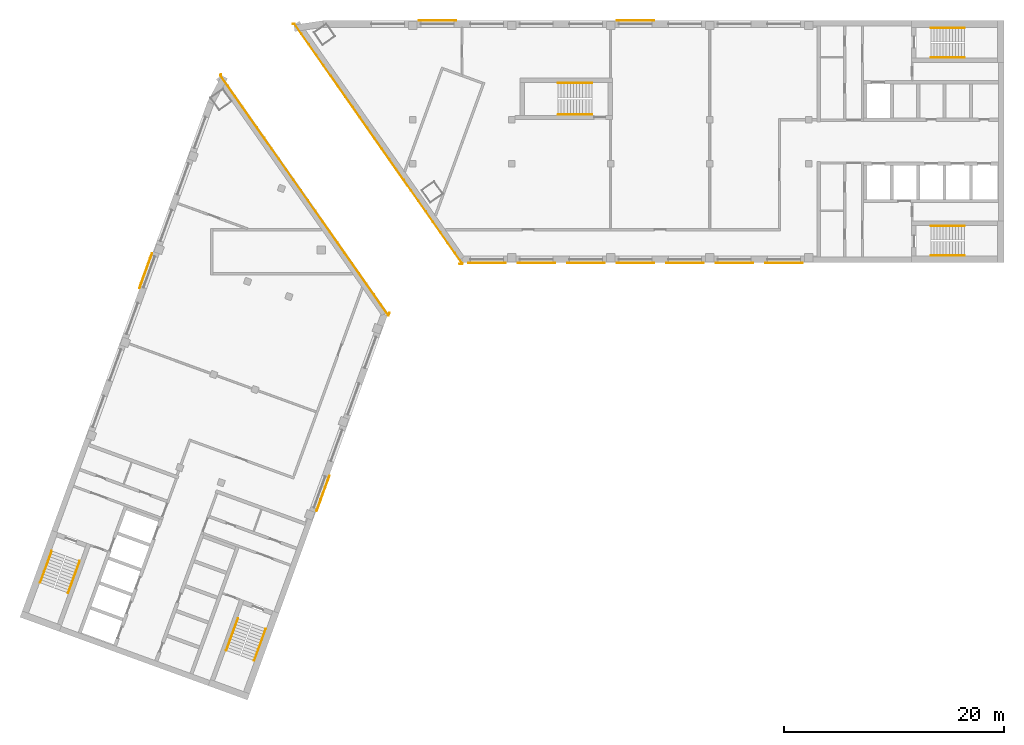
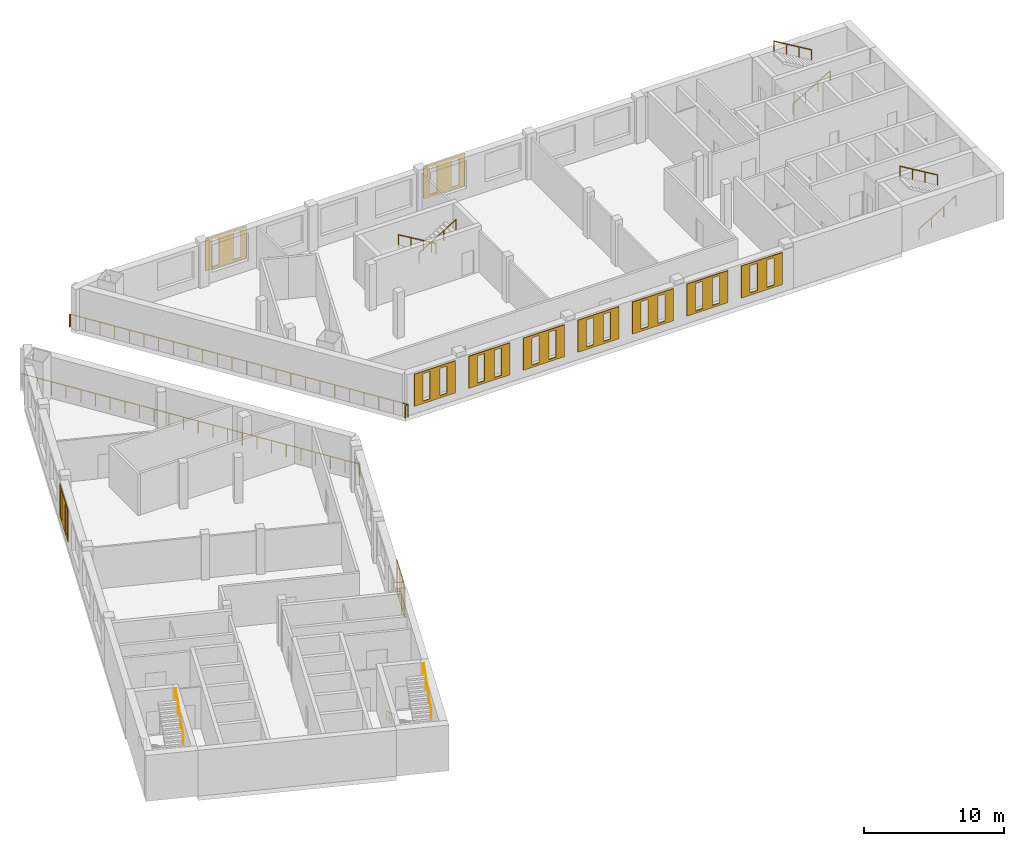
# One storey, part 7 of 7: 12 railings, 11 coverings.
"""IFC4 building model written with IfcOpenShell, lengths in metres."""

from ifc_helpers import new_model, si_unit, direction, frame, origin, origin_2d, place, context, subcontext, project, spatial, polyline, circle, outline, extrude, material, material_profile, profile_set, type_object, element, save


model = new_model("IFC4")

# Units and contexts
model_context = context("Model", 3, precision=1e-05, world=origin(), true_north=direction((0.0, 1.0)))
body_context = subcontext(model_context, "Body", "Model", "MODEL_VIEW")
ifc_project = project(units=[si_unit("LENGTHUNIT", "METRE"), si_unit("AREAUNIT", "SQUARE_METRE"), si_unit("VOLUMEUNIT", "CUBIC_METRE"), si_unit("PLANEANGLEUNIT", "RADIAN"), si_unit("MASSUNIT", "GRAM", prefix="KILO")], contexts=[model_context])

# Site, building, storey
site_placement = place(None, origin())
site = spatial("IfcSite", under=ifc_project, at=site_placement, CompositionType="ELEMENT")
building_placement = place(site_placement, origin())
building = spatial("IfcBuilding", under=site, at=building_placement, Name="Skarvind Civic Tower", CompositionType="ELEMENT")
storey_placement = place(building_placement, frame((0.0, 0.0, 188.0)))
storey = spatial("IfcBuildingStorey", under=building, at=storey_placement, Name="L44", CompositionType="ELEMENT", Elevation=188.0)

# Railings
ifc_material_1 = material(Name="Stainless steel balustrade", Category="steel")
railing_type_1 = type_object("IfcRailingType", Name="GR1 GUARD 1100", PredefinedType="GUARDRAIL", material=ifc_material_1)
railing_1_placement = place(storey_placement, frame((52.14697265625, 112.4345703125, 0.0)))
element("IfcRailing", 1, at=railing_1_placement, inside=storey, type_object=railing_type_1, Name="TERRACE GUARD", PredefinedType="GUARDRAIL", context=body_context, shape_type="SweptSolid", body=[
    extrude(circle(Radius=0.02392578125, at=origin_2d()), frame((0.0, 0.0, 1.076171875), z_axis=(-0.341408744138, -0.939914926696, 0.0), x_axis=(0.939914926696, -0.341408744138, 0.0)), (0.0, 0.0, 1.0), 0.234619140625),
    extrude(circle(Radius=0.02392578125, at=origin_2d()), frame((-0.080078125, -0.220458984375, 1.076171875), z_axis=(-0.991835775307, -0.12752174254, 0.0), x_axis=(0.12752174254, -0.991835775307, 0.0)), (0.0, 0.0, 1.0), 0.017333984375),
    extrude(circle(Radius=0.02392578125, at=origin_2d()), frame((-0.09716796875, -0.22265625, 1.076171875), z_axis=(-0.573574393194, 0.819153474919, 0.0), x_axis=(-0.819153474919, -0.573574393194, 0.0)), (0.0, 0.0, 1.0), 26.61328125),
    extrude(circle(Radius=0.02392578125, at=origin_2d()), frame((-15.36181640625, 21.57763671875, 1.076171875), z_axis=(0.476705762253, 0.879062919383, 0.0), x_axis=(-0.879062919383, 0.476705762253, 0.0)), (0.0, 0.0, 1.0), 0.111572265625),
    extrude(circle(Radius=0.02099609375, at=origin_2d()), origin(), (0.0, 0.0, 1.0), 1.052001953125),
    extrude(circle(Radius=0.02099609375, at=origin_2d()), frame((-0.080078125, -0.220458984375, 0.0)), (0.0, 0.0, 1.0), 1.052001953125),
    extrude(circle(Radius=0.02099609375, at=origin_2d()), frame((-0.09716796875, -0.22265625, 0.0)), (0.0, 0.0, 1.0), 1.052001953125),
    extrude(circle(Radius=0.02099609375, at=origin_2d()), frame((-0.7607421875, 0.72509765625, 0.0)), (0.0, 0.0, 1.0), 1.052001953125),
    extrude(circle(Radius=0.02099609375, at=origin_2d()), frame((-1.424560546875, 1.673095703125, 0.0)), (0.0, 0.0, 1.0), 1.052001953125),
    extrude(circle(Radius=0.02099609375, at=origin_2d()), frame((-2.088134765625, 2.620849609375, 0.0)), (0.0, 0.0, 1.0), 1.052001953125),
    extrude(circle(Radius=0.02099609375, at=origin_2d()), frame((-2.751953125, 3.568603515625, 0.0)), (0.0, 0.0, 1.0), 1.052001953125),
    extrude(circle(Radius=0.02099609375, at=origin_2d()), frame((-3.41552734375, 4.5166015625, 0.0)), (0.0, 0.0, 1.0), 1.052001953125),
    extrude(circle(Radius=0.02099609375, at=origin_2d()), frame((-4.079345703125, 5.46435546875, 0.0)), (0.0, 0.0, 1.0), 1.052001953125),
    extrude(circle(Radius=0.02099609375, at=origin_2d()), frame((-4.742919921875, 6.412109375, 0.0)), (0.0, 0.0, 1.0), 1.052001953125),
    extrude(circle(Radius=0.02099609375, at=origin_2d()), frame((-5.406494140625, 7.360107421875, 0.0)), (0.0, 0.0, 1.0), 1.052001953125),
    extrude(circle(Radius=0.02099609375, at=origin_2d()), frame((-6.0703125, 8.307861328125, 0.0)), (0.0, 0.0, 1.0), 1.052001953125),
    extrude(circle(Radius=0.02099609375, at=origin_2d()), frame((-6.73388671875, 9.255615234375, 0.0)), (0.0, 0.0, 1.0), 1.052001953125),
    extrude(circle(Radius=0.02099609375, at=origin_2d()), frame((-7.397705078125, 10.20361328125, 0.0)), (0.0, 0.0, 1.0), 1.052001953125),
    extrude(circle(Radius=0.02099609375, at=origin_2d()), frame((-8.061279296875, 11.1513671875, 0.0)), (0.0, 0.0, 1.0), 1.052001953125),
    extrude(circle(Radius=0.02099609375, at=origin_2d()), frame((-8.72509765625, 12.099365234375, 0.0)), (0.0, 0.0, 1.0), 1.052001953125),
    extrude(circle(Radius=0.02099609375, at=origin_2d()), frame((-9.388671875, 13.047119140625, 0.0)), (0.0, 0.0, 1.0), 1.052001953125),
    extrude(circle(Radius=0.02099609375, at=origin_2d()), frame((-10.052490234375, 13.994873046875, 0.0)), (0.0, 0.0, 1.0), 1.052001953125),
    extrude(circle(Radius=0.02099609375, at=origin_2d()), frame((-10.716064453125, 14.94287109375, 0.0)), (0.0, 0.0, 1.0), 1.052001953125),
    extrude(circle(Radius=0.02099609375, at=origin_2d()), frame((-11.379638671875, 15.890625, 0.0)), (0.0, 0.0, 1.0), 1.052001953125),
    extrude(circle(Radius=0.02099609375, at=origin_2d()), frame((-12.04345703125, 16.83837890625, 0.0)), (0.0, 0.0, 1.0), 1.052001953125),
    extrude(circle(Radius=0.02099609375, at=origin_2d()), frame((-12.70703125, 17.786376953125, 0.0)), (0.0, 0.0, 1.0), 1.052001953125),
    extrude(circle(Radius=0.02099609375, at=origin_2d()), frame((-13.370849609375, 18.734130859375, 0.0)), (0.0, 0.0, 1.0), 1.052001953125),
    extrude(circle(Radius=0.02099609375, at=origin_2d()), frame((-14.034423828125, 19.681884765625, 0.0)), (0.0, 0.0, 1.0), 1.052001953125),
    extrude(circle(Radius=0.02099609375, at=origin_2d()), frame((-14.6982421875, 20.6298828125, 0.0)), (0.0, 0.0, 1.0), 1.052001953125),
    extrude(circle(Radius=0.02099609375, at=origin_2d()), frame((-15.36181640625, 21.57763671875, 0.0)), (0.0, 0.0, 1.0), 1.052001953125),
    extrude(circle(Radius=0.02099609375, at=origin_2d()), frame((-15.30859375, 21.67578125, 0.0)), (0.0, 0.0, 1.0), 1.052001953125),
])
railing_2_placement = place(storey_placement, frame((43.3916015625, 138.698974609375, 0.0)))
element("IfcRailing", 2, at=railing_2_placement, inside=storey, type_object=railing_type_1, Name="TERRACE GUARD", PredefinedType="GUARDRAIL", context=body_context, shape_type="SweptSolid", body=[
    extrude(circle(Radius=0.02392578125, at=origin_2d()), frame((0.0, 0.0, 1.076171875), z_axis=(0.989238608352, 0.14631122905, 0.0), x_axis=(-0.14631122905, 0.989238608352, 0.0)), (0.0, 0.0, 1.0), 0.11181640625),
    extrude(circle(Radius=0.02392578125, at=origin_2d()), frame((0.110595703125, 0.016357421875, 1.076171875), z_axis=(0.573578703424, -0.819150456862, 0.0), x_axis=(0.819150456862, 0.573578703424, 0.0)), (0.0, 0.0, 1.0), 26.613037109375),
    extrude(circle(Radius=0.02392578125, at=origin_2d()), frame((15.375244140625, -21.78369140625, 1.076171875), z_axis=(-0.464006994671, -0.88583153528, 0.0), x_axis=(0.88583153528, -0.464006994671, 0.0)), (0.0, 0.0, 1.0), 0.017333984375),
    extrude(circle(Radius=0.02392578125, at=origin_2d()), frame((15.3671875, -21.799072265625, 1.076171875), z_axis=(-1.0, 0.0, 0.0), x_axis=(0.0, -1.0, 0.0)), (0.0, 0.0, 1.0), 0.234375),
    extrude(circle(Radius=0.02099609375, at=origin_2d()), origin(), (0.0, 0.0, 1.0), 1.052001953125),
    extrude(circle(Radius=0.02099609375, at=origin_2d()), frame((0.110595703125, 0.016357421875, 0.0)), (0.0, 0.0, 1.0), 1.052001953125),
    extrude(circle(Radius=0.02099609375, at=origin_2d()), frame((0.774169921875, -0.931396484375, 0.0)), (0.0, 0.0, 1.0), 1.052001953125),
    extrude(circle(Radius=0.02099609375, at=origin_2d()), frame((1.43798828125, -1.87939453125, 0.0)), (0.0, 0.0, 1.0), 1.052001953125),
    extrude(circle(Radius=0.02099609375, at=origin_2d()), frame((2.1015625, -2.8271484375, 0.0)), (0.0, 0.0, 1.0), 1.052001953125),
    extrude(circle(Radius=0.02099609375, at=origin_2d()), frame((2.765380859375, -3.77490234375, 0.0)), (0.0, 0.0, 1.0), 1.052001953125),
    extrude(circle(Radius=0.02099609375, at=origin_2d()), frame((3.428955078125, -4.722900390625, 0.0)), (0.0, 0.0, 1.0), 1.052001953125),
    extrude(circle(Radius=0.02099609375, at=origin_2d()), frame((4.0927734375, -5.670654296875, 0.0)), (0.0, 0.0, 1.0), 1.052001953125),
    extrude(circle(Radius=0.02099609375, at=origin_2d()), frame((4.75634765625, -6.618408203125, 0.0)), (0.0, 0.0, 1.0), 1.052001953125),
    extrude(circle(Radius=0.02099609375, at=origin_2d()), frame((5.419921875, -7.566162109375, 0.0)), (0.0, 0.0, 1.0), 1.052001953125),
    extrude(circle(Radius=0.02099609375, at=origin_2d()), frame((6.083740234375, -8.51416015625, 0.0)), (0.0, 0.0, 1.0), 1.052001953125),
    extrude(circle(Radius=0.02099609375, at=origin_2d()), frame((6.747314453125, -9.4619140625, 0.0)), (0.0, 0.0, 1.0), 1.052001953125),
    extrude(circle(Radius=0.02099609375, at=origin_2d()), frame((7.4111328125, -10.40966796875, 0.0)), (0.0, 0.0, 1.0), 1.052001953125),
    extrude(circle(Radius=0.02099609375, at=origin_2d()), frame((8.07470703125, -11.357666015625, 0.0)), (0.0, 0.0, 1.0), 1.052001953125),
    extrude(circle(Radius=0.02099609375, at=origin_2d()), frame((8.738525390625, -12.305419921875, 0.0)), (0.0, 0.0, 1.0), 1.052001953125),
    extrude(circle(Radius=0.02099609375, at=origin_2d()), frame((9.402099609375, -13.253173828125, 0.0)), (0.0, 0.0, 1.0), 1.052001953125),
    extrude(circle(Radius=0.02099609375, at=origin_2d()), frame((10.06591796875, -14.201171875, 0.0)), (0.0, 0.0, 1.0), 1.052001953125),
    extrude(circle(Radius=0.02099609375, at=origin_2d()), frame((10.7294921875, -15.14892578125, 0.0)), (0.0, 0.0, 1.0), 1.052001953125),
    extrude(circle(Radius=0.02099609375, at=origin_2d()), frame((11.39306640625, -16.0966796875, 0.0)), (0.0, 0.0, 1.0), 1.052001953125),
    extrude(circle(Radius=0.02099609375, at=origin_2d()), frame((12.056884765625, -17.04443359375, 0.0)), (0.0, 0.0, 1.0), 1.052001953125),
    extrude(circle(Radius=0.02099609375, at=origin_2d()), frame((12.720458984375, -17.992431640625, 0.0)), (0.0, 0.0, 1.0), 1.052001953125),
    extrude(circle(Radius=0.02099609375, at=origin_2d()), frame((13.38427734375, -18.940185546875, 0.0)), (0.0, 0.0, 1.0), 1.052001953125),
    extrude(circle(Radius=0.02099609375, at=origin_2d()), frame((14.0478515625, -19.887939453125, 0.0)), (0.0, 0.0, 1.0), 1.052001953125),
    extrude(circle(Radius=0.02099609375, at=origin_2d()), frame((14.711669921875, -20.8359375, 0.0)), (0.0, 0.0, 1.0), 1.052001953125),
    extrude(circle(Radius=0.02099609375, at=origin_2d()), frame((15.375244140625, -21.78369140625, 0.0)), (0.0, 0.0, 1.0), 1.052001953125),
    extrude(circle(Radius=0.02099609375, at=origin_2d()), frame((15.3671875, -21.799072265625, 0.0)), (0.0, 0.0, 1.0), 1.052001953125),
    extrude(circle(Radius=0.02099609375, at=origin_2d()), frame((15.1328125, -21.799072265625, 0.0)), (0.0, 0.0, 1.0), 1.052001953125),
])
ifc_material_2 = material(Name="Painted steel handrail", Category="steel")
railing_type_2 = type_object("IfcRailingType", Name="Stair handrail 900", PredefinedType="HANDRAIL", material=ifc_material_2)
railing_3_placement = place(storey_placement, frame((101.35009765625, 135.64990234375, 0.166748046875)))
element("IfcRailing", 3, at=railing_3_placement, inside=storey, type_object=railing_type_2, Name="Stair handrail", PredefinedType="HANDRAIL", context=body_context, shape_type="SweptSolid", body=[
    extrude(circle(Radius=0.02392578125, at=origin_2d()), frame((0.0, 0.0, 0.8759765625), z_axis=(0.859290745958, 0.0, 0.51148745235), x_axis=(0.0, 1.0, 0.0)), (0.0, 0.0, 1.0), 3.584228515625),
    extrude(circle(Radius=0.02099609375, at=origin_2d()), origin(), (0.0, 0.0, 1.0), 0.851806640625),
    extrude(circle(Radius=0.02099609375, at=origin_2d()), frame((1.026611328125, 0.0, 0.611083984375)), (0.0, 0.0, 1.0), 0.851806640625),
    extrude(circle(Radius=0.02099609375, at=origin_2d()), frame((2.05322265625, 0.0, 1.22216796875)), (0.0, 0.0, 1.0), 0.851806640625),
    extrude(circle(Radius=0.02099609375, at=origin_2d()), frame((3.079833984375, 0.0, 1.833251953125)), (0.0, 0.0, 1.0), 0.851806640625),
])
railing_4_placement = place(storey_placement, frame((104.429931640625, 138.35009765625, 2.166748046875)))
element("IfcRailing", 4, at=railing_4_placement, inside=storey, type_object=railing_type_2, Name="Stair handrail", PredefinedType="HANDRAIL", context=body_context, shape_type="SweptSolid", body=[
    extrude(circle(Radius=0.02392578125, at=origin_2d()), frame((0.0, 0.0, 0.8759765625), z_axis=(-0.859290745958, 0.0, 0.51148745235), x_axis=(0.0, -1.0, 0.0)), (0.0, 0.0, 1.0), 3.584228515625),
    extrude(circle(Radius=0.02099609375, at=origin_2d()), origin(), (0.0, 0.0, 1.0), 0.851806640625),
    extrude(circle(Radius=0.02099609375, at=origin_2d()), frame((-1.026611328125, 0.0, 0.611083984375)), (0.0, 0.0, 1.0), 0.851806640625),
    extrude(circle(Radius=0.02099609375, at=origin_2d()), frame((-2.05322265625, 0.0, 1.22216796875)), (0.0, 0.0, 1.0), 0.851806640625),
    extrude(circle(Radius=0.02099609375, at=origin_2d()), frame((-3.079833984375, 0.0, 1.833251953125)), (0.0, 0.0, 1.0), 0.851806640625),
])
railing_5_placement = place(storey_placement, frame((101.35009765625, 117.64990234375, 0.166748046875)))
element("IfcRailing", 5, at=railing_5_placement, inside=storey, type_object=railing_type_2, Name="Stair handrail", PredefinedType="HANDRAIL", context=body_context, shape_type="SweptSolid", body=[
    extrude(circle(Radius=0.02392578125, at=origin_2d()), frame((0.0, 0.0, 0.8759765625), z_axis=(0.859290745958, 0.0, 0.51148745235), x_axis=(0.0, 1.0, 0.0)), (0.0, 0.0, 1.0), 3.584228515625),
    extrude(circle(Radius=0.02099609375, at=origin_2d()), origin(), (0.0, 0.0, 1.0), 0.851806640625),
    extrude(circle(Radius=0.02099609375, at=origin_2d()), frame((1.026611328125, 0.0, 0.611083984375)), (0.0, 0.0, 1.0), 0.851806640625),
    extrude(circle(Radius=0.02099609375, at=origin_2d()), frame((2.05322265625, 0.0, 1.22216796875)), (0.0, 0.0, 1.0), 0.851806640625),
    extrude(circle(Radius=0.02099609375, at=origin_2d()), frame((3.079833984375, 0.0, 1.833251953125)), (0.0, 0.0, 1.0), 0.851806640625),
])
railing_6_placement = place(storey_placement, frame((104.429931640625, 120.35009765625, 2.166748046875)))
element("IfcRailing", 6, at=railing_6_placement, inside=storey, type_object=railing_type_2, Name="Stair handrail", PredefinedType="HANDRAIL", context=body_context, shape_type="SweptSolid", body=[
    extrude(circle(Radius=0.02392578125, at=origin_2d()), frame((0.0, 0.0, 0.8759765625), z_axis=(-0.859290745958, 0.0, 0.51148745235), x_axis=(0.0, -1.0, 0.0)), (0.0, 0.0, 1.0), 3.584228515625),
    extrude(circle(Radius=0.02099609375, at=origin_2d()), origin(), (0.0, 0.0, 1.0), 0.851806640625),
    extrude(circle(Radius=0.02099609375, at=origin_2d()), frame((-1.026611328125, 0.0, 0.611083984375)), (0.0, 0.0, 1.0), 0.851806640625),
    extrude(circle(Radius=0.02099609375, at=origin_2d()), frame((-2.05322265625, 0.0, 1.22216796875)), (0.0, 0.0, 1.0), 0.851806640625),
    extrude(circle(Radius=0.02099609375, at=origin_2d()), frame((-3.079833984375, 0.0, 1.833251953125)), (0.0, 0.0, 1.0), 0.851806640625),
])
railing_7_placement = place(storey_placement, frame((38.362060546875, 84.64794921875, 0.166748046875)))
element("IfcRailing", 7, at=railing_7_placement, inside=storey, type_object=railing_type_2, Name="Stair handrail", PredefinedType="HANDRAIL", context=body_context, shape_type="SweptSolid", body=[
    extrude(circle(Radius=0.02392578125, at=origin_2d()), frame((0.0, 0.0, 0.8759765625), z_axis=(-0.293908055923, -0.807480881337, 0.511461319103), x_axis=(0.939689235759, -0.342029443467, 0.0)), (0.0, 0.0, 1.0), 3.584228515625),
    extrude(circle(Radius=0.02099609375, at=origin_2d()), origin(), (0.0, 0.0, 1.0), 0.851806640625),
    extrude(circle(Radius=0.02099609375, at=origin_2d()), frame((-0.35107421875, -0.96484375, 0.611083984375)), (0.0, 0.0, 1.0), 0.851806640625),
    extrude(circle(Radius=0.02099609375, at=origin_2d()), frame((-0.702392578125, -1.929443359375, 1.22216796875)), (0.0, 0.0, 1.0), 0.851806640625),
    extrude(circle(Radius=0.02099609375, at=origin_2d()), frame((-1.053466796875, -2.894287109375, 1.833251953125)), (0.0, 0.0, 1.0), 0.851806640625),
])
railing_8_placement = place(storey_placement, frame((39.845703125, 80.830078125, 2.166748046875)))
element("IfcRailing", 8, at=railing_8_placement, inside=storey, type_object=railing_type_2, Name="Stair handrail", PredefinedType="HANDRAIL", context=body_context, shape_type="SweptSolid", body=[
    extrude(circle(Radius=0.02392578125, at=origin_2d()), frame((0.0, 0.0, 0.8759765625), z_axis=(0.293908055923, 0.807480881337, 0.511461319103), x_axis=(-0.939689235759, 0.342029443467, 0.0)), (0.0, 0.0, 1.0), 3.584228515625),
    extrude(circle(Radius=0.02099609375, at=origin_2d()), origin(), (0.0, 0.0, 1.0), 0.851806640625),
    extrude(circle(Radius=0.02099609375, at=origin_2d()), frame((0.35107421875, 0.96484375, 0.611083984375)), (0.0, 0.0, 1.0), 0.851806640625),
    extrude(circle(Radius=0.02099609375, at=origin_2d()), frame((0.702392578125, 1.929443359375, 1.22216796875)), (0.0, 0.0, 1.0), 0.851806640625),
    extrude(circle(Radius=0.02099609375, at=origin_2d()), frame((1.053466796875, 2.894287109375, 1.833251953125)), (0.0, 0.0, 1.0), 0.851806640625),
])
railing_9_placement = place(storey_placement, frame((21.447509765625, 90.80419921875, 0.166748046875)))
element("IfcRailing", 9, at=railing_9_placement, inside=storey, type_object=railing_type_2, Name="Stair handrail", PredefinedType="HANDRAIL", context=body_context, shape_type="SweptSolid", body=[
    extrude(circle(Radius=0.02392578125, at=origin_2d()), frame((0.0, 0.0, 0.8759765625), z_axis=(-0.293845824691, -0.807497044902, 0.511471557163), x_axis=(0.939714709796, -0.34195944817, 0.0)), (0.0, 0.0, 1.0), 3.584228515625),
    extrude(circle(Radius=0.02099609375, at=origin_2d()), origin(), (0.0, 0.0, 1.0), 0.851806640625),
    extrude(circle(Radius=0.02099609375, at=origin_2d()), frame((-0.35107421875, -0.96484375, 0.611083984375)), (0.0, 0.0, 1.0), 0.851806640625),
    extrude(circle(Radius=0.02099609375, at=origin_2d()), frame((-0.7021484375, -1.929443359375, 1.22216796875)), (0.0, 0.0, 1.0), 0.851806640625),
    extrude(circle(Radius=0.02099609375, at=origin_2d()), frame((-1.05322265625, -2.894287109375, 1.833251953125)), (0.0, 0.0, 1.0), 0.851806640625),
])
railing_10_placement = place(storey_placement, frame((22.931396484375, 86.986572265625, 2.166748046875)))
element("IfcRailing", 10, at=railing_10_placement, inside=storey, type_object=railing_type_2, Name="Stair handrail", PredefinedType="HANDRAIL", context=body_context, shape_type="SweptSolid", body=[
    extrude(circle(Radius=0.02392578125, at=origin_2d()), frame((0.0, 0.0, 0.8759765625), z_axis=(0.293908055923, 0.807480881337, 0.511461319103), x_axis=(-0.939689235759, 0.342029443467, 0.0)), (0.0, 0.0, 1.0), 3.584228515625),
    extrude(circle(Radius=0.02099609375, at=origin_2d()), origin(), (0.0, 0.0, 1.0), 0.851806640625),
    extrude(circle(Radius=0.02099609375, at=origin_2d()), frame((0.35107421875, 0.96484375, 0.611083984375)), (0.0, 0.0, 1.0), 0.851806640625),
    extrude(circle(Radius=0.02099609375, at=origin_2d()), frame((0.702392578125, 1.929443359375, 1.22216796875)), (0.0, 0.0, 1.0), 0.851806640625),
    extrude(circle(Radius=0.02099609375, at=origin_2d()), frame((1.053466796875, 2.894287109375, 1.833251953125)), (0.0, 0.0, 1.0), 0.851806640625),
])
railing_11_placement = place(storey_placement, frame((70.550048828125, 133.35009765625, 0.166748046875)))
element("IfcRailing", 11, at=railing_11_placement, inside=storey, type_object=railing_type_2, Name="Stair handrail", PredefinedType="HANDRAIL", context=body_context, shape_type="SweptSolid", body=[
    extrude(circle(Radius=0.02392578125, at=origin_2d()), frame((0.0, 0.0, 0.8759765625), z_axis=(-0.859308565015, 0.0, 0.511457515432), x_axis=(0.0, -1.0, 0.0)), (0.0, 0.0, 1.0), 3.58447265625),
    extrude(circle(Radius=0.02099609375, at=origin_2d()), origin(), (0.0, 0.0, 1.0), 0.851806640625),
    extrude(circle(Radius=0.02099609375, at=origin_2d()), frame((-1.026611328125, 0.0, 0.611083984375)), (0.0, 0.0, 1.0), 0.851806640625),
    extrude(circle(Radius=0.02099609375, at=origin_2d()), frame((-2.053466796875, 0.0, 1.22216796875)), (0.0, 0.0, 1.0), 0.851806640625),
    extrude(circle(Radius=0.02099609375, at=origin_2d()), frame((-3.080078125, 0.0, 1.833251953125)), (0.0, 0.0, 1.0), 0.851806640625),
])
railing_12_placement = place(storey_placement, frame((67.469970703125, 130.449951171875, 2.166748046875)))
element("IfcRailing", 12, at=railing_12_placement, inside=storey, type_object=railing_type_2, Name="Stair handrail", PredefinedType="HANDRAIL", context=body_context, shape_type="SweptSolid", body=[
    extrude(circle(Radius=0.02392578125, at=origin_2d()), frame((0.0, 0.0, 0.8759765625), z_axis=(0.859308565015, 0.0, 0.511457515432), x_axis=(0.0, 1.0, 0.0)), (0.0, 0.0, 1.0), 3.58447265625),
    extrude(circle(Radius=0.02099609375, at=origin_2d()), origin(), (0.0, 0.0, 1.0), 0.851806640625),
    extrude(circle(Radius=0.02099609375, at=origin_2d()), frame((1.026611328125, 0.0, 0.611083984375)), (0.0, 0.0, 1.0), 0.851806640625),
    extrude(circle(Radius=0.02099609375, at=origin_2d()), frame((2.053466796875, 0.0, 1.22216796875)), (0.0, 0.0, 1.0), 0.851806640625),
    extrude(circle(Radius=0.02099609375, at=origin_2d()), frame((3.080078125, 0.0, 1.833251953125)), (0.0, 0.0, 1.0), 0.851806640625),
])

# Coverings
ifc_material_3 = material(Name="Terracotta", Category="masonry")
ifc_material_profile_1 = material_profile(ifc_material_3, outline(polyline([(-1.699951171875, -1.39990234375), (1.699951171875, -1.39990234375), (1.699951171875, 1.39990234375), (-1.699951171875, 1.39990234375), (-1.699951171875, -1.39990234375)]), holes=[polyline([(-1.0, -1.18994140625), (-0.39990234375, -1.18994140625), (-0.39990234375, 1.18994140625), (-1.0, 1.18994140625), (-1.0, -1.18994140625)]), polyline([(0.39990234375, -1.18994140625), (1.0, -1.18994140625), (1.0, 1.18994140625), (0.39990234375, 1.18994140625), (0.39990234375, -1.18994140625)])]), Name="TERRACOTTA SCREEN 3400 x 2800, SLIT PITCH 1400")
ifc_profile_set_1 = profile_set([ifc_material_profile_1], Name="Terracotta")
covering_type_1 = type_object("IfcCoveringType", Name="TERRACOTTA SCREEN 3400 x 2800, SLIT PITCH 1400", PredefinedType="CLADDING", material=ifc_profile_set_1)
for number, where, z_axis, x_axis, name in (
    (13, (88.0, 117.0, 2.10009765625), (0.0, -1.0, 0.0), (1.0, 0.0, 0.0), "TERRACOTTA SCREEN"),
    (14, (83.5, 117.0, 2.10009765625), (0.0, -1.0, 0.0), (1.0, 0.0, 0.0), "TERRACOTTA SCREEN"),
    (15, (79.0, 117.0, 2.10009765625), (0.0, -1.0, 0.0), (1.0, 0.0, 0.0), "TERRACOTTA SCREEN"),
    (16, (74.5, 117.0, 2.10009765625), (0.0, -1.0, 0.0), (1.0, 0.0, 0.0), "TERRACOTTA SCREEN"),
    (17, (70.0, 117.0, 2.10009765625), (0.0, -1.0, 0.0), (1.0, 0.0, 0.0), "TERRACOTTA SCREEN"),
    (18, (65.5, 117.0, 2.10009765625), (0.0, -1.0, 0.0), (1.0, 0.0, 0.0), "TERRACOTTA SCREEN"),
    (19, (61.0, 117.0, 2.10009765625), (0.0, -1.0, 0.0), (1.0, 0.0, 0.0), "TERRACOTTA SCREEN"),
):
    element("IfcCovering", number, at=place(storey_placement, frame(where, z_axis=z_axis, x_axis=x_axis)), inside=storey, type_object=covering_type_1, Name=name, PredefinedType="CLADDING", context=body_context, shape_type="SweptSolid", body=[
        extrude(outline(polyline([(-1.699951171875, -1.39990234375), (1.699951171875, -1.39990234375), (1.699951171875, 1.39990234375), (-1.699951171875, 1.39990234375), (-1.699951171875, -1.39990234375)]), holes=[polyline([(-1.0, -1.18994140625), (-0.39990234375, -1.18994140625), (-0.39990234375, 1.18994140625), (-1.0, 1.18994140625), (-1.0, -1.18994140625)]), polyline([(0.39990234375, -1.18994140625), (1.0, -1.18994140625), (1.0, 1.18994140625), (0.39990234375, 1.18994140625), (0.39990234375, -1.18994140625)])]), origin(), (0.0, 0.0, 1.0), 0.06005859375),
    ])
ifc_material_profile_2 = material_profile(ifc_material_3, outline(polyline([(-1.699951171875, -1.39990234375), (1.699951171875, -1.39990234375), (1.699951171875, 1.39990234375), (-1.699951171875, 1.39990234375), (-1.699951171875, -1.39990234375)]), holes=[polyline([(-1.199951171875, -1.18994140625), (-0.60009765625, -1.18994140625), (-0.60009765625, 1.18994140625), (-1.199951171875, 1.18994140625), (-1.199951171875, -1.18994140625)]), polyline([(0.60009765625, -1.18994140625), (1.199951171875, -1.18994140625), (1.199951171875, 1.18994140625), (0.60009765625, 1.18994140625), (0.60009765625, -1.18994140625)])]), Name="TERRACOTTA SCREEN 3400 x 2800, SLIT PITCH 1800")
ifc_profile_set_2 = profile_set([ifc_material_profile_2], Name="Terracotta")
covering_type_2 = type_object("IfcCoveringType", Name="TERRACOTTA SCREEN 3400 x 2800, SLIT PITCH 1800", PredefinedType="CLADDING", material=ifc_profile_set_2)
for number, where, z_axis, x_axis, name in (
    (20, (56.5, 139.0, 2.10009765625), (0.0, 1.0, 0.0), (-1.0, 0.0, 0.0), "TERRACOTTA SCREEN"),
    (21, (74.5, 139.0, 2.10009765625), (0.0, 1.0, 0.0), (-1.0, 0.0, 0.0), "TERRACOTTA SCREEN"),
    (22, (46.075927734375, 96.047119140625, 2.10009765625), (0.939793423488, -0.341743063087, 0.0), (0.341743063087, 0.939793423488, 0.0), "TERRACOTTA SCREEN"),
    (23, (30.02001953125, 116.25732421875, 2.10009765625), (-0.939793423488, 0.341743063087, 0.0), (-0.341743063087, -0.939793423488, 0.0), "TERRACOTTA SCREEN"),
):
    element("IfcCovering", number, at=place(storey_placement, frame(where, z_axis=z_axis, x_axis=x_axis)), inside=storey, type_object=covering_type_2, Name=name, PredefinedType="CLADDING", context=body_context, shape_type="SweptSolid", body=[
        extrude(outline(polyline([(-1.699951171875, -1.39990234375), (1.699951171875, -1.39990234375), (1.699951171875, 1.39990234375), (-1.699951171875, 1.39990234375), (-1.699951171875, -1.39990234375)]), holes=[polyline([(-1.199951171875, -1.18994140625), (-0.60009765625, -1.18994140625), (-0.60009765625, 1.18994140625), (-1.199951171875, 1.18994140625), (-1.199951171875, -1.18994140625)]), polyline([(0.60009765625, -1.18994140625), (1.199951171875, -1.18994140625), (1.199951171875, 1.18994140625), (0.60009765625, 1.18994140625), (0.60009765625, -1.18994140625)])]), origin(), (0.0, 0.0, 1.0), 0.06005859375),
    ])

save(model, "model.ifc")
